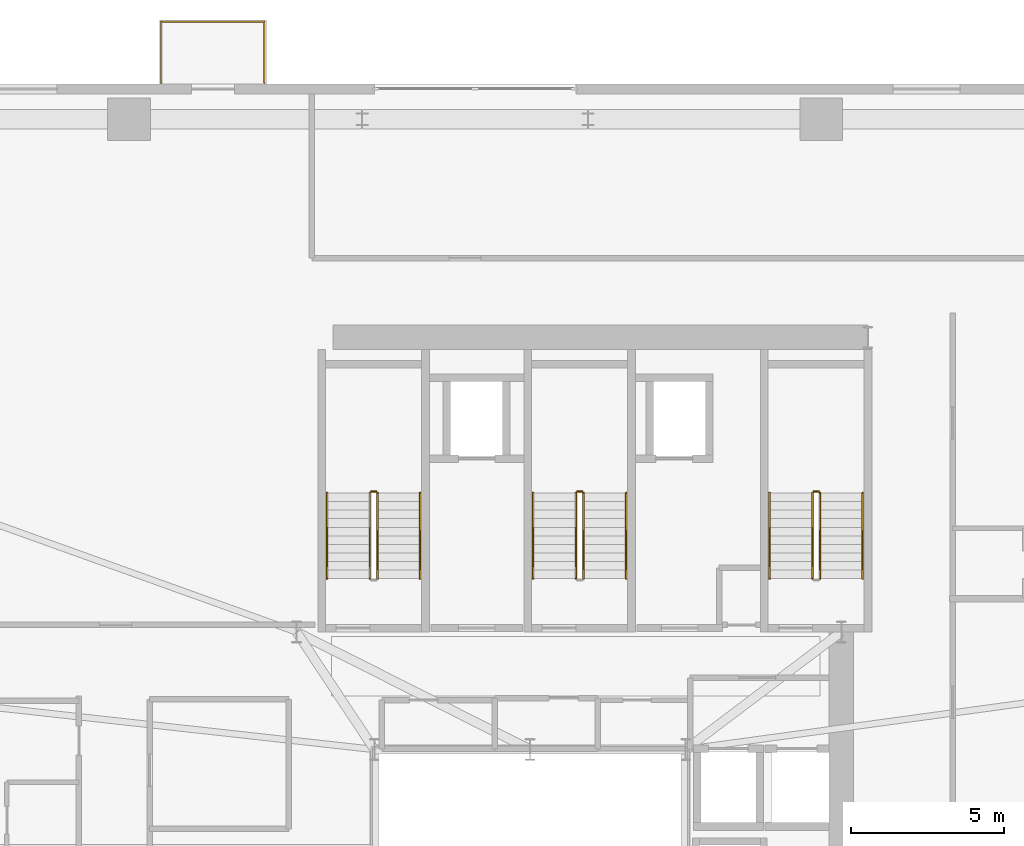
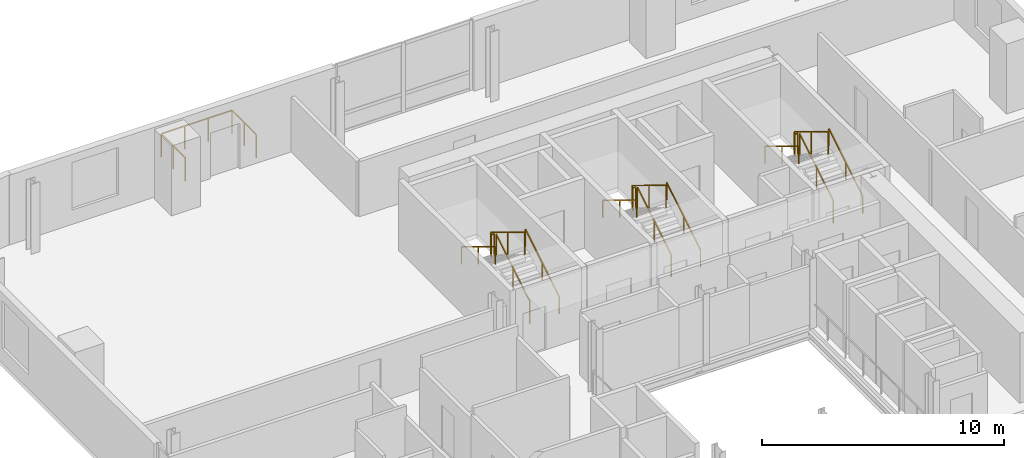
# One storey, part 15 of 15: 16 railings.
"""IFC4 building model written with IfcOpenShell, lengths in metres."""

from ifc_helpers import new_model, si_unit, direction, frame, origin, origin_2d, place, context, subcontext, project, spatial, rectangle, extrude, source, transform, mapped, material, type_object, element, save


model = new_model("IFC4")

# Units and contexts
model_context = context("Model", 3, precision=1e-05, world=origin(), true_north=direction((0.0, 1.0)))
body_context = subcontext(model_context, "Body", "Model", "MODEL_VIEW")
ifc_project = project(units=[si_unit("LENGTHUNIT", "METRE"), si_unit("AREAUNIT", "SQUARE_METRE"), si_unit("VOLUMEUNIT", "CUBIC_METRE"), si_unit("PLANEANGLEUNIT", "RADIAN"), si_unit("MASSUNIT", "GRAM", prefix="KILO")], contexts=[model_context])

# Site, building, storey
site_placement = place(None, origin())
site = spatial("IfcSite", under=ifc_project, at=site_placement, CompositionType="ELEMENT")
building_placement = place(site_placement, origin())
building = spatial("IfcBuilding", under=site, at=building_placement, Name="Vardaveli Station Tower", CompositionType="ELEMENT")
storey_placement = place(building_placement, frame((0.0, 0.0, 207.300048828125)))
storey = spatial("IfcBuildingStorey", under=building, at=storey_placement, Name="L53", CompositionType="ELEMENT", Elevation=207.300048828125)

# Railings
ifc_material_1 = material(Name="Laminated glass and stainless steel balustrade", Category="steel")
railing_type_1 = type_object("IfcRailingType", Name="RL-BAL-1200", PredefinedType="BALUSTRADE", material=ifc_material_1)
shared_shape_1 = source(origin(), body_context, "Body", "SweptSolid", [
    extrude(rectangle(XDim=0.048095703125, YDim=0.048095703125, at=origin_2d()), frame((0.0, 0.0, 1.17578125), z_axis=(0.0, 1.0, 0.0), x_axis=(-1.0, 0.0, 0.0)), (0.0, 0.0, 1.0), 2.0),
    extrude(rectangle(XDim=0.048095703125, YDim=0.048095703125, at=origin_2d()), frame((0.0, 2.0, 1.17578125), z_axis=(1.0, 0.0, 0.0), x_axis=(0.0, 1.0, 0.0)), (0.0, 0.0, 1.0), 3.3798828125),
    extrude(rectangle(XDim=0.048095703125, YDim=0.048095703125, at=origin_2d()), frame((3.3798828125, 2.0, 1.17578125), z_axis=(0.0, -1.0, 0.0), x_axis=(1.0, 0.0, 0.0)), (0.0, 0.0, 1.0), 2.0),
    extrude(rectangle(XDim=0.0419921875, YDim=0.0419921875, at=origin_2d()), origin(), (0.0, 0.0, 1.0), 1.15185546875),
    extrude(rectangle(XDim=0.0419921875, YDim=0.0419921875, at=origin_2d()), frame((0.0, 1.0, 0.0)), (0.0, 0.0, 1.0), 1.15185546875),
    extrude(rectangle(XDim=0.0419921875, YDim=0.0419921875, at=origin_2d()), frame((0.0, 2.0, 0.0)), (0.0, 0.0, 1.0), 1.15185546875),
    extrude(rectangle(XDim=0.0419921875, YDim=0.0419921875, at=origin_2d()), frame((1.126708984375, 2.0, 0.0)), (0.0, 0.0, 1.0), 1.15185546875),
    extrude(rectangle(XDim=0.0419921875, YDim=0.0419921875, at=origin_2d()), frame((2.253173828125, 2.0, 0.0)), (0.0, 0.0, 1.0), 1.15185546875),
    extrude(rectangle(XDim=0.0419921875, YDim=0.0419921875, at=origin_2d()), frame((3.3798828125, 2.0, 0.0)), (0.0, 0.0, 1.0), 1.15185546875),
    extrude(rectangle(XDim=0.0419921875, YDim=0.0419921875, at=origin_2d()), frame((3.3798828125, 1.0, 0.0)), (0.0, 0.0, 1.0), 1.15185546875),
    extrude(rectangle(XDim=0.0419921875, YDim=0.0419921875, at=origin_2d()), frame((3.3798828125, 0.0, 0.0)), (0.0, 0.0, 1.0), 1.15185546875),
])
railing_placement = place(storey_placement, frame((24.220458984375, 48.639892578125, 0.0)))
element("IfcRailing", 1, at=railing_placement, inside=storey, type_object=railing_type_1, Name="RL-LOG-L53-02", PredefinedType="BALUSTRADE", context=body_context, shape_type="MappedRepresentation", body=[
    mapped(shared_shape_1, transform((0.0, 0.0, 0.0), scale=1.0)),
])
ifc_material_2 = material(Name="Brushed AISI 316 stainless steel", Category="steel")
railing_type_2 = type_object("IfcRailingType", Name="RL-GUARD-1150", PredefinedType="GUARDRAIL", material=ifc_material_2)
shared_shape_2 = source(origin(), body_context, "Body", "SweptSolid", [
    extrude(rectangle(XDim=0.048095703125, YDim=0.048095703125, at=origin_2d()), frame((0.0, 0.0, 1.1259765625), z_axis=(-1.0, 0.0, 0.0), x_axis=(0.0, -1.0, 0.0)), (0.0, 0.0, 1.0), 0.14990234375),
    extrude(rectangle(XDim=0.0419921875, YDim=0.0419921875, at=origin_2d()), origin(), (0.0, 0.0, 1.0), 1.101806640625),
    extrude(rectangle(XDim=0.0419921875, YDim=0.0419921875, at=origin_2d()), frame((-0.14990234375, 0.0, 0.0)), (0.0, 0.0, 1.0), 1.101806640625),
])
for number, where, name in (
    (2, (31.25, 35.25, 1.875), "L53 ST-1 stair guard 2"),
    (3, (38.0, 35.25, 1.875), "L53 ST-2 stair guard 2"),
    (4, (45.75, 35.25, 1.875), "L53 ST-3 stair guard 2"),
):
    element("IfcRailing", number, at=place(storey_placement, frame(where)), inside=storey, type_object=railing_type_2, Name=name, PredefinedType="GUARDRAIL", context=body_context, shape_type="MappedRepresentation", body=[
        mapped(shared_shape_2, transform((0.0, 0.0, 0.0), scale=1.0)),
    ])
shared_shape_3 = source(origin(), body_context, "Body", "SweptSolid", [
    extrude(rectangle(XDim=0.048095703125, YDim=0.048095703125, at=origin_2d()), frame((0.0, 0.0, 1.1259765625), z_axis=(0.0, 0.854169791009, 0.51999420009), x_axis=(-1.0, 0.0, 0.0)), (0.0, 0.0, 1.0), 3.278076171875),
    extrude(rectangle(XDim=0.0419921875, YDim=0.0419921875, at=origin_2d()), origin(), (0.0, 0.0, 1.0), 1.101806640625),
    extrude(rectangle(XDim=0.0419921875, YDim=0.0419921875, at=origin_2d()), frame((0.0, 1.39990234375, 0.852294921875)), (0.0, 0.0, 1.0), 1.101806640625),
    extrude(rectangle(XDim=0.0419921875, YDim=0.0419921875, at=origin_2d()), frame((0.0, 2.800048828125, 1.70458984375)), (0.0, 0.0, 1.0), 1.101806640625),
])
for number, where, name in (
    (5, (31.300048828125, 32.39990234375, 0.17041015625), "L53 ST-1 stair guard 1"),
    (6, (38.050048828125, 32.39990234375, 0.17041015625), "L53 ST-2 stair guard 1"),
    (7, (45.800048828125, 32.39990234375, 0.17041015625), "L53 ST-3 stair guard 1"),
):
    element("IfcRailing", number, at=place(storey_placement, frame(where)), inside=storey, type_object=railing_type_2, Name=name, PredefinedType="GUARDRAIL", context=body_context, shape_type="MappedRepresentation", body=[
        mapped(shared_shape_3, transform((0.0, 0.0, 0.0), scale=1.0)),
    ])
shared_shape_4 = source(origin(), body_context, "Body", "SweptSolid", [
    extrude(rectangle(XDim=0.048095703125, YDim=0.048095703125, at=origin_2d()), frame((0.0, 0.0, 1.1259765625), z_axis=(0.0, -0.854169791009, 0.51999420009), x_axis=(1.0, 0.0, 0.0)), (0.0, 0.0, 1.0), 3.278076171875),
    extrude(rectangle(XDim=0.0419921875, YDim=0.0419921875, at=origin_2d()), origin(), (0.0, 0.0, 1.0), 1.101806640625),
    extrude(rectangle(XDim=0.0419921875, YDim=0.0419921875, at=origin_2d()), frame((0.0, -1.39990234375, 0.852294921875)), (0.0, 0.0, 1.0), 1.101806640625),
    extrude(rectangle(XDim=0.0419921875, YDim=0.0419921875, at=origin_2d()), frame((0.0, -2.800048828125, 1.70458984375)), (0.0, 0.0, 1.0), 1.101806640625),
])
for number, where, name in (
    (8, (31.050048828125, 35.199951171875, 2.04541015625), "L53 ST-1 stair guard 3"),
    (9, (37.800048828125, 35.199951171875, 2.04541015625), "L53 ST-2 stair guard 3"),
    (10, (45.550048828125, 35.199951171875, 2.04541015625), "L53 ST-3 stair guard 3"),
):
    element("IfcRailing", number, at=place(storey_placement, frame(where)), inside=storey, type_object=railing_type_2, Name=name, PredefinedType="GUARDRAIL", context=body_context, shape_type="MappedRepresentation", body=[
        mapped(shared_shape_4, transform((0.0, 0.0, 0.0), scale=1.0)),
    ])
railing_type_3 = type_object("IfcRailingType", Name="RL-HAND-900", PredefinedType="HANDRAIL", material=ifc_material_2)
shared_shape_5 = source(origin(), body_context, "Body", "SweptSolid", [
    extrude(rectangle(XDim=0.048095703125, YDim=0.048095703125, at=origin_2d()), frame((0.0, 0.0, 0.8759765625), z_axis=(0.0, 0.854169791009, 0.51999420009), x_axis=(-1.0, 0.0, 0.0)), (0.0, 0.0, 1.0), 3.278076171875),
    extrude(rectangle(XDim=0.0419921875, YDim=0.0419921875, at=origin_2d()), origin(), (0.0, 0.0, 1.0), 0.851806640625),
    extrude(rectangle(XDim=0.0419921875, YDim=0.0419921875, at=origin_2d()), frame((0.0, 1.39990234375, 0.852294921875)), (0.0, 0.0, 1.0), 0.851806640625),
    extrude(rectangle(XDim=0.0419921875, YDim=0.0419921875, at=origin_2d()), frame((0.0, 2.800048828125, 1.70458984375)), (0.0, 0.0, 1.0), 0.851806640625),
])
for number, where, name in (
    (11, (32.699951171875, 32.39990234375, 0.17041015625), "L53 ST-1 stair handrail 1"),
    (12, (39.449951171875, 32.39990234375, 0.17041015625), "L53 ST-2 stair handrail 1"),
    (13, (47.199951171875, 32.39990234375, 0.17041015625), "L53 ST-3 stair handrail 1"),
):
    element("IfcRailing", number, at=place(storey_placement, frame(where)), inside=storey, type_object=railing_type_3, Name=name, PredefinedType="HANDRAIL", context=body_context, shape_type="MappedRepresentation", body=[
        mapped(shared_shape_5, transform((0.0, 0.0, 0.0), scale=1.0)),
    ])
shared_shape_6 = source(origin(), body_context, "Body", "SweptSolid", [
    extrude(rectangle(XDim=0.048095703125, YDim=0.048095703125, at=origin_2d()), frame((0.0, 0.0, 0.8759765625), z_axis=(0.0, -0.854169791009, 0.51999420009), x_axis=(1.0, 0.0, 0.0)), (0.0, 0.0, 1.0), 3.278076171875),
    extrude(rectangle(XDim=0.0419921875, YDim=0.0419921875, at=origin_2d()), origin(), (0.0, 0.0, 1.0), 0.851806640625),
    extrude(rectangle(XDim=0.0419921875, YDim=0.0419921875, at=origin_2d()), frame((0.0, -1.39990234375, 0.852294921875)), (0.0, 0.0, 1.0), 0.851806640625),
    extrude(rectangle(XDim=0.0419921875, YDim=0.0419921875, at=origin_2d()), frame((0.0, -2.800048828125, 1.70458984375)), (0.0, 0.0, 1.0), 0.851806640625),
])
for number, where, name in (
    (14, (29.64990234375, 35.199951171875, 2.04541015625), "L53 ST-1 stair handrail 2"),
    (15, (36.39990234375, 35.199951171875, 2.04541015625), "L53 ST-2 stair handrail 2"),
    (16, (44.14990234375, 35.199951171875, 2.04541015625), "L53 ST-3 stair handrail 2"),
):
    element("IfcRailing", number, at=place(storey_placement, frame(where)), inside=storey, type_object=railing_type_3, Name=name, PredefinedType="HANDRAIL", context=body_context, shape_type="MappedRepresentation", body=[
        mapped(shared_shape_6, transform((0.0, 0.0, 0.0), scale=1.0)),
    ])

save(model, "model.ifc")
